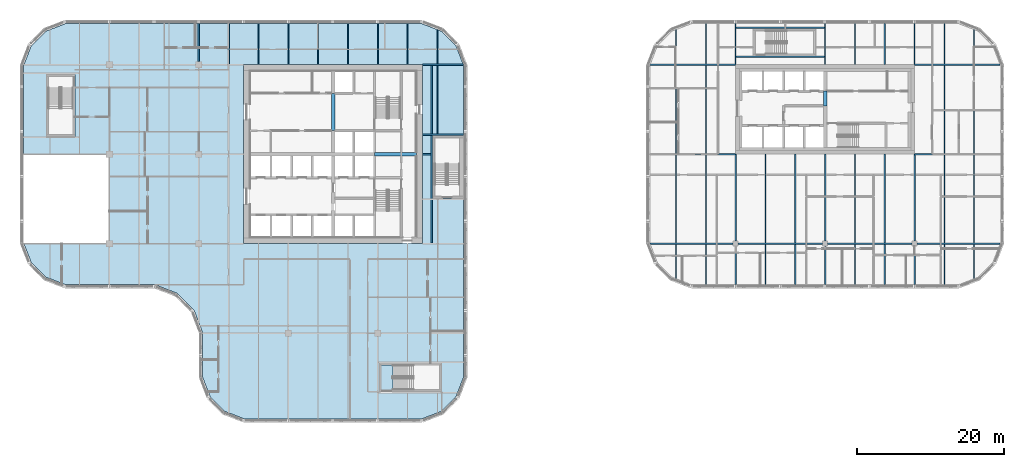
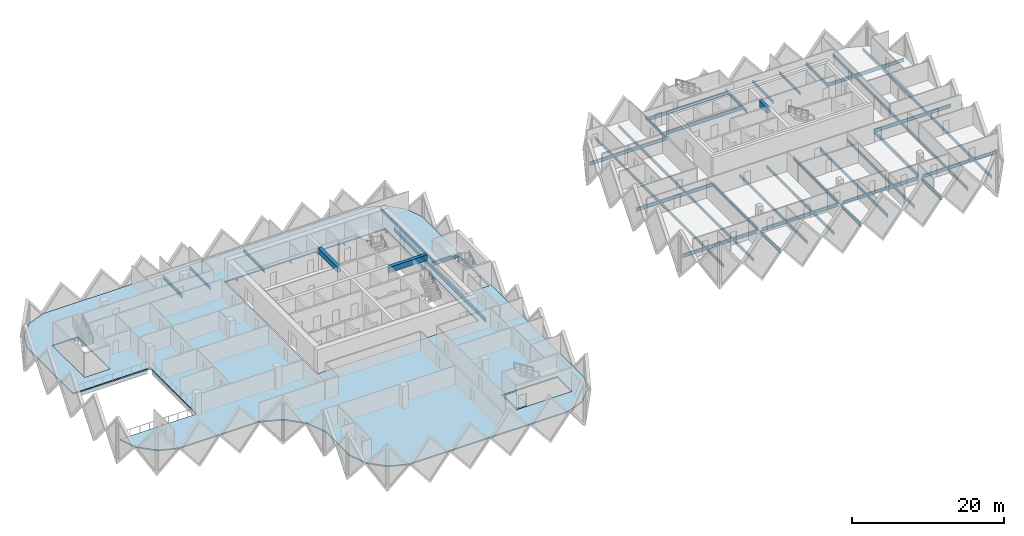
# One storey, part 2 of 19: 62 beams, 2 slabs.
"""IFC4 building model written with IfcOpenShell, lengths in metres."""

from ifc_helpers import new_model, si_unit, direction, frame, origin, origin_2d, place, context, subcontext, project, spatial, polyline, rectangle, i_section, outline, extrude, material, layer, layer_set, material_profile, profile_set, type_object, element, save


model = new_model("IFC4")

# Units and contexts
model_context = context("Model", 3, precision=1e-05, world=origin(), true_north=direction((0.0, 1.0)))
body_context = subcontext(model_context, "Body", "Model", "MODEL_VIEW")
ifc_project = project(units=[si_unit("LENGTHUNIT", "METRE"), si_unit("AREAUNIT", "SQUARE_METRE"), si_unit("VOLUMEUNIT", "CUBIC_METRE"), si_unit("PLANEANGLEUNIT", "RADIAN"), si_unit("MASSUNIT", "GRAM", prefix="KILO")], contexts=[model_context])

# Site, building, storey
site_placement = place(None, origin())
site = spatial("IfcSite", under=ifc_project, at=site_placement, CompositionType="ELEMENT")
building_placement = place(site_placement, origin())
building = spatial("IfcBuilding", under=site, at=building_placement, Name="Tessera Gate Towers", CompositionType="ELEMENT")
storey_placement = place(building_placement, frame((0.0, 0.0, 72.39990234375)))
storey = spatial("IfcBuildingStorey", under=building, at=storey_placement, Name="L17", CompositionType="ELEMENT", Elevation=72.39990234375)

# Beams
ifc_material_1 = material(Name="Concrete C50/60", Category="concrete")
ifc_material_profile_1 = material_profile(ifc_material_1, rectangle(XDim=0.5, YDim=0.89990234375, at=origin_2d()), Name="RC 500x900")
ifc_profile_set_1 = profile_set([ifc_material_profile_1], Name="Concrete C50/60")
beam_type_1 = type_object("IfcBeamType", Name="COUPLING BEAM 500x900 C50/60", PredefinedType="BEAM", material=ifc_profile_set_1)
beam_1_placement = place(storey_placement, frame((109.800048828125, 43.199951171875, 3.150146484375), z_axis=(0.0, 1.0, 0.0), x_axis=(-1.0, 0.0, 0.0)))
element("IfcBeam", 1, at=beam_1_placement, inside=storey, type_object=beam_type_1, Name="L17 coupling beam 1", PredefinedType="BEAM", context=body_context, shape_type="SweptSolid", body=[
    extrude(rectangle(XDim=0.5, YDim=0.89990234375, at=origin_2d()), origin(), (0.0, 0.0, 1.0), 2.0),
])
ifc_material_2 = material(Name="Concrete C60/75", Category="concrete")
ifc_material_profile_2 = material_profile(ifc_material_2, rectangle(XDim=0.5, YDim=0.89990234375, at=origin_2d()), Name="RC 500x900")
ifc_profile_set_2 = profile_set([ifc_material_profile_2], Name="Concrete C60/75")
beam_type_2 = type_object("IfcBeamType", Name="COUPLING BEAM 500x900 C60/75", PredefinedType="BEAM", material=ifc_profile_set_2)
beam_2_placement = place(storey_placement, frame((48.35009765625, 36.60009765625, 3.150146484375), z_axis=(1.0, 0.0, 0.0), x_axis=(0.0, 1.0, 0.0)))
element("IfcBeam", 2, at=beam_2_placement, inside=storey, type_object=beam_type_2, Name="L17 coupling beam 1", PredefinedType="BEAM", context=body_context, shape_type="SweptSolid", body=[
    extrude(rectangle(XDim=0.5, YDim=0.89990234375, at=origin_2d()), origin(), (0.0, 0.0, 1.0), 5.75),
])
beam_3_placement = place(storey_placement, frame((42.699951171875, 39.800048828125, 3.150146484375), z_axis=(0.0, 1.0, 0.0), x_axis=(-1.0, 0.0, 0.0)))
element("IfcBeam", 3, at=beam_3_placement, inside=storey, type_object=beam_type_2, Name="L17 coupling beam 2", PredefinedType="BEAM", context=body_context, shape_type="SweptSolid", body=[
    extrude(rectangle(XDim=0.5, YDim=0.89990234375, at=origin_2d()), origin(), (0.0, 0.0, 1.0), 5.099853515625),
])
ifc_material_3 = material(Name="Steel 350W", Category="steel")
ifc_material_profile_3 = material_profile(ifc_material_3, i_section(OverallWidth=0.208984375, OverallDepth=0.532958984375, WebThickness=0.01025390625, FlangeThickness=0.015625, at=origin_2d()), Name="W530x92")
ifc_profile_set_3 = profile_set([ifc_material_profile_3], Name="Steel 350W")
beam_type_3 = type_object("IfcBeamType", Name="FLOOR GIRDER W530x92", PredefinedType="BEAM", material=ifc_profile_set_3)
beam_4_placement = place(storey_placement, frame((54.89892578125, 36.60009765625, -0.46630859375), z_axis=(1.0, 0.0, 0.0), x_axis=(0.0, 1.0, 0.0)))
element("IfcBeam", 4, at=beam_4_placement, inside=storey, type_object=beam_type_3, Name="T1-GD-L17-2354", PredefinedType="BEAM", context=body_context, shape_type="SweptSolid", body=[
    extrude(i_section(OverallWidth=0.208984375, OverallDepth=0.532958984375, WebThickness=0.01025390625, FlangeThickness=0.015625, at=origin_2d()), origin(), (0.0, 0.0, 1.0), 1.176513671875),
])
beam_5_placement = place(storey_placement, frame((54.90087890625, 48.800048828125, -0.46630859375), z_axis=(1.0, 0.0, 0.0), x_axis=(0.0, 1.0, 0.0)))
element("IfcBeam", 5, at=beam_5_placement, inside=storey, type_object=beam_type_3, Name="T1-GD-L17-2358", PredefinedType="BEAM", context=body_context, shape_type="SweptSolid", body=[
    extrude(i_section(OverallWidth=0.208984375, OverallDepth=0.532958984375, WebThickness=0.01025390625, FlangeThickness=0.015625, at=origin_2d()), origin(), (0.0, 0.0, 1.0), 5.564208984375),
])
beam_6_placement = place(storey_placement, frame((24.39990234375, 49.25, -0.46630859375), z_axis=(0.0, 1.0, 0.0), x_axis=(-1.0, 0.0, 0.0)))
element("IfcBeam", 6, at=beam_6_placement, inside=storey, type_object=beam_type_3, Name="T1-GD-L17-2366", PredefinedType="BEAM", context=body_context, shape_type="SweptSolid", body=[
    extrude(i_section(OverallWidth=0.208984375, OverallDepth=0.532958984375, WebThickness=0.01025390625, FlangeThickness=0.015625, at=origin_2d()), origin(), (0.0, 0.0, 1.0), 5.15087890625),
])
beam_7_placement = place(storey_placement, frame((54.89892578125, 39.219970703125, -0.46630859375), z_axis=(1.0, 0.0, 0.0), x_axis=(0.0, 1.0, 0.0)))
element("IfcBeam", 7, at=beam_7_placement, inside=storey, type_object=beam_type_3, Name="T1-GD-L17-2376", PredefinedType="BEAM", context=body_context, shape_type="SweptSolid", body=[
    extrude(i_section(OverallWidth=0.208984375, OverallDepth=0.532958984375, WebThickness=0.01025390625, FlangeThickness=0.015625, at=origin_2d()), origin(), (0.0, 0.0, 1.0), 5.60205078125),
])
beam_8_placement = place(storey_placement, frame((56.179931640625, 24.50439453125, -0.46630859375), z_axis=(0.0, 1.0, 0.0), x_axis=(-1.0, 0.0, 0.0)))
element("IfcBeam", 8, at=beam_8_placement, inside=storey, type_object=beam_type_3, Name="T1-GD-L17-2377", PredefinedType="BEAM", context=body_context, shape_type="SweptSolid", body=[
    extrude(i_section(OverallWidth=0.208984375, OverallDepth=0.532958984375, WebThickness=0.01025390625, FlangeThickness=0.015625, at=origin_2d()), origin(), (0.0, 0.0, 1.0), 24.191162109375),
])
beam_9_placement = place(storey_placement, frame((85.934814453125, 24.39990234375, -0.46630859375), z_axis=(1.0, 0.0, 0.0), x_axis=(0.0, 1.0, 0.0)))
element("IfcBeam", 9, at=beam_9_placement, inside=storey, type_object=beam_type_3, Name="T2-GD-L17-2418", PredefinedType="BEAM", context=body_context, shape_type="SweptSolid", body=[
    extrude(i_section(OverallWidth=0.208984375, OverallDepth=0.532958984375, WebThickness=0.01025390625, FlangeThickness=0.015625, at=origin_2d()), origin(), (0.0, 0.0, 1.0), 11.315185546875),
])
for number, where, z_axis, x_axis, name in (
    (10, (97.949951171875, 24.39990234375, -0.46630859375), (1.0, 0.0, 0.0), (0.0, 1.0, 0.0), "T2-GD-L17-2419"),
    (11, (110.14990234375, 24.39990234375, -0.46630859375), (1.0, 0.0, 0.0), (0.0, 1.0, 0.0), "T2-GD-L17-2420"),
):
    element("IfcBeam", number, at=place(storey_placement, frame(where, z_axis=z_axis, x_axis=x_axis)), inside=storey, type_object=beam_type_3, Name=name, PredefinedType="BEAM", context=body_context, shape_type="SweptSolid", body=[
        extrude(i_section(OverallWidth=0.208984375, OverallDepth=0.532958984375, WebThickness=0.01025390625, FlangeThickness=0.015625, at=origin_2d()), origin(), (0.0, 0.0, 1.0), 11.5),
    ])
beam_10_placement = place(storey_placement, frame((122.35009765625, 24.39990234375, -0.46630859375), z_axis=(1.0, 0.0, 0.0), x_axis=(0.0, 1.0, 0.0)))
element("IfcBeam", 12, at=beam_10_placement, inside=storey, type_object=beam_type_3, Name="T2-GD-L17-2421", PredefinedType="BEAM", context=body_context, shape_type="SweptSolid", body=[
    extrude(i_section(OverallWidth=0.208984375, OverallDepth=0.532958984375, WebThickness=0.01025390625, FlangeThickness=0.015625, at=origin_2d()), origin(), (0.0, 0.0, 1.0), 11.315185546875),
])
beam_11_placement = place(storey_placement, frame((85.89892578125, 36.60009765625, -0.46630859375), z_axis=(1.0, 0.0, 0.0), x_axis=(0.0, 1.0, 0.0)))
element("IfcBeam", 13, at=beam_11_placement, inside=storey, type_object=beam_type_3, Name="T2-GD-L17-2422", PredefinedType="BEAM", context=body_context, shape_type="SweptSolid", body=[
    extrude(i_section(OverallWidth=0.208984375, OverallDepth=0.532958984375, WebThickness=0.01025390625, FlangeThickness=0.015625, at=origin_2d()), origin(), (0.0, 0.0, 1.0), 11.7001953125),
])
beam_12_placement = place(storey_placement, frame((122.0009765625, 36.60009765625, -0.46630859375), z_axis=(1.0, 0.0, 0.0), x_axis=(0.0, 1.0, 0.0)))
element("IfcBeam", 14, at=beam_12_placement, inside=storey, type_object=beam_type_3, Name="T2-GD-L17-2423", PredefinedType="BEAM", context=body_context, shape_type="SweptSolid", body=[
    extrude(i_section(OverallWidth=0.208984375, OverallDepth=0.532958984375, WebThickness=0.01025390625, FlangeThickness=0.015625, at=origin_2d()), origin(), (0.0, 0.0, 1.0), 11.699951171875),
])
for number, where, z_axis, x_axis, name in (
    (15, (85.934814453125, 48.800048828125, -0.46630859375), (1.0, 0.0, 0.0), (0.0, 1.0, 0.0), "T2-GD-L17-2424"),
    (16, (122.0009765625, 48.800048828125, -0.46630859375), (1.0, 0.0, 0.0), (0.0, 1.0, 0.0), "T2-GD-L17-2425"),
):
    element("IfcBeam", number, at=place(storey_placement, frame(where, z_axis=z_axis, x_axis=x_axis)), inside=storey, type_object=beam_type_3, Name=name, PredefinedType="BEAM", context=body_context, shape_type="SweptSolid", body=[
        extrude(i_section(OverallWidth=0.208984375, OverallDepth=0.532958984375, WebThickness=0.01025390625, FlangeThickness=0.015625, at=origin_2d()), origin(), (0.0, 0.0, 1.0), 11.664306640625),
    ])
beam_13_placement = place(storey_placement, frame((97.60009765625, 18.799072265625, -0.46630859375), z_axis=(0.0, 1.0, 0.0), x_axis=(-1.0, 0.0, 0.0)))
element("IfcBeam", 17, at=beam_13_placement, inside=storey, type_object=beam_type_3, Name="T2-GD-L17-2426", PredefinedType="BEAM", context=body_context, shape_type="SweptSolid", body=[
    extrude(i_section(OverallWidth=0.208984375, OverallDepth=0.532958984375, WebThickness=0.01025390625, FlangeThickness=0.015625, at=origin_2d()), origin(), (0.0, 0.0, 1.0), 5.2509765625),
])
beam_14_placement = place(storey_placement, frame((97.60009765625, 24.75, -0.46630859375), z_axis=(0.0, 1.0, 0.0), x_axis=(-1.0, 0.0, 0.0)))
element("IfcBeam", 18, at=beam_14_placement, inside=storey, type_object=beam_type_3, Name="T2-GD-L17-2427", PredefinedType="BEAM", context=body_context, shape_type="SweptSolid", body=[
    extrude(i_section(OverallWidth=0.208984375, OverallDepth=0.532958984375, WebThickness=0.01025390625, FlangeThickness=0.015625, at=origin_2d()), origin(), (0.0, 0.0, 1.0), 11.85009765625),
])
beam_15_placement = place(storey_placement, frame((109.800048828125, 18.799072265625, -0.46630859375), z_axis=(0.0, 1.0, 0.0), x_axis=(-1.0, 0.0, 0.0)))
element("IfcBeam", 19, at=beam_15_placement, inside=storey, type_object=beam_type_3, Name="T2-GD-L17-2428", PredefinedType="BEAM", context=body_context, shape_type="SweptSolid", body=[
    extrude(i_section(OverallWidth=0.208984375, OverallDepth=0.532958984375, WebThickness=0.01025390625, FlangeThickness=0.015625, at=origin_2d()), origin(), (0.0, 0.0, 1.0), 5.2509765625),
])
beam_16_placement = place(storey_placement, frame((109.800048828125, 24.75, -0.46630859375), z_axis=(0.0, 1.0, 0.0), x_axis=(-1.0, 0.0, 0.0)))
element("IfcBeam", 20, at=beam_16_placement, inside=storey, type_object=beam_type_3, Name="T2-GD-L17-2429", PredefinedType="BEAM", context=body_context, shape_type="SweptSolid", body=[
    extrude(i_section(OverallWidth=0.208984375, OverallDepth=0.532958984375, WebThickness=0.01025390625, FlangeThickness=0.015625, at=origin_2d()), origin(), (0.0, 0.0, 1.0), 11.85009765625),
])
beam_17_placement = place(storey_placement, frame((122.0, 18.799072265625, -0.46630859375), z_axis=(0.0, 1.0, 0.0), x_axis=(-1.0, 0.0, 0.0)))
element("IfcBeam", 21, at=beam_17_placement, inside=storey, type_object=beam_type_3, Name="T2-GD-L17-2430", PredefinedType="BEAM", context=body_context, shape_type="SweptSolid", body=[
    extrude(i_section(OverallWidth=0.208984375, OverallDepth=0.532958984375, WebThickness=0.01025390625, FlangeThickness=0.015625, at=origin_2d()), origin(), (0.0, 0.0, 1.0), 5.2509765625),
])
beam_18_placement = place(storey_placement, frame((122.0, 24.75, -0.46630859375), z_axis=(0.0, 1.0, 0.0), x_axis=(-1.0, 0.0, 0.0)))
element("IfcBeam", 22, at=beam_18_placement, inside=storey, type_object=beam_type_3, Name="T2-GD-L17-2431", PredefinedType="BEAM", context=body_context, shape_type="SweptSolid", body=[
    extrude(i_section(OverallWidth=0.208984375, OverallDepth=0.532958984375, WebThickness=0.01025390625, FlangeThickness=0.015625, at=origin_2d()), origin(), (0.0, 0.0, 1.0), 11.85009765625),
])
for number, where, z_axis, x_axis, name in (
    (23, (97.676513671875, 49.8798828125, -0.46630859375), (1.0, 0.0, 0.0), (0.0, 1.0, 0.0), "T2-GD-L17-2432"),
    (24, (97.676513671875, 53.820068359375, -0.46630859375), (1.0, 0.0, 0.0), (0.0, 1.0, 0.0), "T2-GD-L17-2433"),
):
    element("IfcBeam", number, at=place(storey_placement, frame(where, z_axis=z_axis, x_axis=x_axis)), inside=storey, type_object=beam_type_3, Name=name, PredefinedType="BEAM", context=body_context, shape_type="SweptSolid", body=[
        extrude(i_section(OverallWidth=0.208984375, OverallDepth=0.532958984375, WebThickness=0.01025390625, FlangeThickness=0.015625, at=origin_2d()), origin(), (0.0, 0.0, 1.0), 12.046875),
    ])
ifc_material_4 = material(Name="Steel 350W", Category="steel")
ifc_material_profile_4 = material_profile(ifc_material_4, i_section(OverallWidth=0.153076171875, OverallDepth=0.455078125, WebThickness=0.008056640625, FlangeThickness=0.01318359375, at=origin_2d()), Name="W460x60")
ifc_profile_set_4 = profile_set([ifc_material_profile_4], Name="Steel 350W")
beam_type_4 = type_object("IfcBeamType", Name="FLOOR SECONDARY W460x60", PredefinedType="BEAM", material=ifc_profile_set_4)
beam_19_placement = place(storey_placement, frame((28.466796875, 48.904541015625, -0.427490234375), z_axis=(0.0, 1.0, 0.0), x_axis=(-1.0, 0.0, 0.0)))
element("IfcBeam", 25, at=beam_19_placement, inside=storey, type_object=beam_type_4, Name="T1-BM-L17-2396", PredefinedType="BEAM", context=body_context, shape_type="SweptSolid", body=[
    extrude(i_section(OverallWidth=0.153076171875, OverallDepth=0.455078125, WebThickness=0.008056640625, FlangeThickness=0.01318359375, at=origin_2d()), origin(), (0.0, 0.0, 1.0), 5.495361328125),
])
for number, where, z_axis, x_axis, name in (
    (26, (32.533203125, 48.800048828125, -0.427490234375), (0.0, 1.0, 0.0), (-1.0, 0.0, 0.0), "T1-BM-L17-2399"),
    (27, (36.60009765625, 48.800048828125, -0.427490234375), (0.0, 1.0, 0.0), (-1.0, 0.0, 0.0), "T1-BM-L17-2400"),
    (28, (40.666748046875, 48.800048828125, -0.427490234375), (0.0, 1.0, 0.0), (-1.0, 0.0, 0.0), "T1-BM-L17-2403"),
    (29, (44.7333984375, 48.800048828125, -0.427490234375), (0.0, 1.0, 0.0), (-1.0, 0.0, 0.0), "T1-BM-L17-2406"),
    (30, (48.800048828125, 48.800048828125, -0.427490234375), (0.0, 1.0, 0.0), (-1.0, 0.0, 0.0), "T1-BM-L17-2407"),
    (31, (52.86669921875, 48.800048828125, -0.427490234375), (0.0, 1.0, 0.0), (-1.0, 0.0, 0.0), "T1-BM-L17-2411"),
):
    element("IfcBeam", number, at=place(storey_placement, frame(where, z_axis=z_axis, x_axis=x_axis)), inside=storey, type_object=beam_type_4, Name=name, PredefinedType="BEAM", context=body_context, shape_type="SweptSolid", body=[
        extrude(i_section(OverallWidth=0.153076171875, OverallDepth=0.455078125, WebThickness=0.008056640625, FlangeThickness=0.01318359375, at=origin_2d()), origin(), (0.0, 0.0, 1.0), 5.599853515625),
    ])
beam_20_placement = place(storey_placement, frame((56.933349609375, 39.324462890625, -0.427490234375), z_axis=(0.0, 1.0, 0.0), x_axis=(-1.0, 0.0, 0.0)))
element("IfcBeam", 32, at=beam_20_placement, inside=storey, type_object=beam_type_4, Name="T1-BM-L17-2416", PredefinedType="BEAM", context=body_context, shape_type="SweptSolid", body=[
    extrude(i_section(OverallWidth=0.153076171875, OverallDepth=0.455078125, WebThickness=0.008056640625, FlangeThickness=0.01318359375, at=origin_2d()), origin(), (0.0, 0.0, 1.0), 9.37109375),
])
for number, where, z_axis, x_axis, name in (
    (33, (56.933349609375, 48.904541015625, -0.427490234375), (0.0, 1.0, 0.0), (-1.0, 0.0, 0.0), "T1-BM-L17-2417"),
    (34, (89.466796875, 19.620361328125, -0.427490234375), (0.0, 1.0, 0.0), (-1.0, 0.0, 0.0), "T2-BM-L17-2434"),
):
    element("IfcBeam", number, at=place(storey_placement, frame(where, z_axis=z_axis, x_axis=x_axis)), inside=storey, type_object=beam_type_4, Name=name, PredefinedType="BEAM", context=body_context, shape_type="SweptSolid", body=[
        extrude(i_section(OverallWidth=0.153076171875, OverallDepth=0.455078125, WebThickness=0.008056640625, FlangeThickness=0.01318359375, at=origin_2d()), origin(), (0.0, 0.0, 1.0), 4.675048828125),
    ])
beam_21_placement = place(storey_placement, frame((89.466796875, 24.50439453125, -0.427490234375), z_axis=(0.0, 1.0, 0.0), x_axis=(-1.0, 0.0, 0.0)))
element("IfcBeam", 35, at=beam_21_placement, inside=storey, type_object=beam_type_4, Name="T2-BM-L17-2435", PredefinedType="BEAM", context=body_context, shape_type="SweptSolid", body=[
    extrude(i_section(OverallWidth=0.153076171875, OverallDepth=0.455078125, WebThickness=0.008056640625, FlangeThickness=0.01318359375, at=origin_2d()), origin(), (0.0, 0.0, 1.0), 11.9912109375),
])
beam_22_placement = place(storey_placement, frame((89.466796875, 36.70458984375, -0.427490234375), z_axis=(0.0, 1.0, 0.0), x_axis=(-1.0, 0.0, 0.0)))
element("IfcBeam", 36, at=beam_22_placement, inside=storey, type_object=beam_type_4, Name="T2-BM-L17-2436", PredefinedType="BEAM", context=body_context, shape_type="SweptSolid", body=[
    extrude(i_section(OverallWidth=0.153076171875, OverallDepth=0.455078125, WebThickness=0.008056640625, FlangeThickness=0.01318359375, at=origin_2d()), origin(), (0.0, 0.0, 1.0), 11.990966796875),
])
beam_23_placement = place(storey_placement, frame((89.466796875, 48.904541015625, -0.427490234375), z_axis=(0.0, 1.0, 0.0), x_axis=(-1.0, 0.0, 0.0)))
element("IfcBeam", 37, at=beam_23_placement, inside=storey, type_object=beam_type_4, Name="T2-BM-L17-2437", PredefinedType="BEAM", context=body_context, shape_type="SweptSolid", body=[
    extrude(i_section(OverallWidth=0.153076171875, OverallDepth=0.455078125, WebThickness=0.008056640625, FlangeThickness=0.01318359375, at=origin_2d()), origin(), (0.0, 0.0, 1.0), 4.675048828125),
])
beam_24_placement = place(storey_placement, frame((93.533203125, 18.800048828125, -0.427490234375), z_axis=(0.0, 1.0, 0.0), x_axis=(-1.0, 0.0, 0.0)))
element("IfcBeam", 38, at=beam_24_placement, inside=storey, type_object=beam_type_4, Name="T2-BM-L17-2438", PredefinedType="BEAM", context=body_context, shape_type="SweptSolid", body=[
    extrude(i_section(OverallWidth=0.153076171875, OverallDepth=0.455078125, WebThickness=0.008056640625, FlangeThickness=0.01318359375, at=origin_2d()), origin(), (0.0, 0.0, 1.0), 5.495361328125),
])
beam_25_placement = place(storey_placement, frame((93.533203125, 24.50439453125, -0.427490234375), z_axis=(0.0, 1.0, 0.0), x_axis=(-1.0, 0.0, 0.0)))
element("IfcBeam", 39, at=beam_25_placement, inside=storey, type_object=beam_type_4, Name="T2-BM-L17-2439", PredefinedType="BEAM", context=body_context, shape_type="SweptSolid", body=[
    extrude(i_section(OverallWidth=0.153076171875, OverallDepth=0.455078125, WebThickness=0.008056640625, FlangeThickness=0.01318359375, at=origin_2d()), origin(), (0.0, 0.0, 1.0), 11.9912109375),
])
beam_26_placement = place(storey_placement, frame((93.533203125, 36.70458984375, -0.427490234375), z_axis=(0.0, 1.0, 0.0), x_axis=(-1.0, 0.0, 0.0)))
element("IfcBeam", 40, at=beam_26_placement, inside=storey, type_object=beam_type_4, Name="T2-BM-L17-2440", PredefinedType="BEAM", context=body_context, shape_type="SweptSolid", body=[
    extrude(i_section(OverallWidth=0.153076171875, OverallDepth=0.455078125, WebThickness=0.008056640625, FlangeThickness=0.01318359375, at=origin_2d()), origin(), (0.0, 0.0, 1.0), 11.990966796875),
])
beam_27_placement = place(storey_placement, frame((93.533203125, 48.904541015625, -0.427490234375), z_axis=(0.0, 1.0, 0.0), x_axis=(-1.0, 0.0, 0.0)))
element("IfcBeam", 41, at=beam_27_placement, inside=storey, type_object=beam_type_4, Name="T2-BM-L17-2441", PredefinedType="BEAM", context=body_context, shape_type="SweptSolid", body=[
    extrude(i_section(OverallWidth=0.153076171875, OverallDepth=0.455078125, WebThickness=0.008056640625, FlangeThickness=0.01318359375, at=origin_2d()), origin(), (0.0, 0.0, 1.0), 5.495361328125),
])
beam_28_placement = place(storey_placement, frame((97.60009765625, 48.800048828125, -0.427490234375), z_axis=(0.0, 1.0, 0.0), x_axis=(-1.0, 0.0, 0.0)))
element("IfcBeam", 42, at=beam_28_placement, inside=storey, type_object=beam_type_4, Name="T2-BM-L17-2442", PredefinedType="BEAM", context=body_context, shape_type="SweptSolid", body=[
    extrude(i_section(OverallWidth=0.153076171875, OverallDepth=0.455078125, WebThickness=0.008056640625, FlangeThickness=0.01318359375, at=origin_2d()), origin(), (0.0, 0.0, 1.0), 5.599853515625),
])
beam_29_placement = place(storey_placement, frame((101.666748046875, 18.800048828125, -0.427490234375), z_axis=(0.0, 1.0, 0.0), x_axis=(-1.0, 0.0, 0.0)))
element("IfcBeam", 43, at=beam_29_placement, inside=storey, type_object=beam_type_4, Name="T2-BM-L17-2443", PredefinedType="BEAM", context=body_context, shape_type="SweptSolid", body=[
    extrude(i_section(OverallWidth=0.153076171875, OverallDepth=0.455078125, WebThickness=0.008056640625, FlangeThickness=0.01318359375, at=origin_2d()), origin(), (0.0, 0.0, 1.0), 5.495361328125),
])
beam_30_placement = place(storey_placement, frame((101.666748046875, 24.50439453125, -0.427490234375), z_axis=(0.0, 1.0, 0.0), x_axis=(-1.0, 0.0, 0.0)))
element("IfcBeam", 44, at=beam_30_placement, inside=storey, type_object=beam_type_4, Name="T2-BM-L17-2444", PredefinedType="BEAM", context=body_context, shape_type="SweptSolid", body=[
    extrude(i_section(OverallWidth=0.153076171875, OverallDepth=0.455078125, WebThickness=0.008056640625, FlangeThickness=0.01318359375, at=origin_2d()), origin(), (0.0, 0.0, 1.0), 12.095703125),
])
beam_31_placement = place(storey_placement, frame((105.7333984375, 18.800048828125, -0.427490234375), z_axis=(0.0, 1.0, 0.0), x_axis=(-1.0, 0.0, 0.0)))
element("IfcBeam", 45, at=beam_31_placement, inside=storey, type_object=beam_type_4, Name="T2-BM-L17-2445", PredefinedType="BEAM", context=body_context, shape_type="SweptSolid", body=[
    extrude(i_section(OverallWidth=0.153076171875, OverallDepth=0.455078125, WebThickness=0.008056640625, FlangeThickness=0.01318359375, at=origin_2d()), origin(), (0.0, 0.0, 1.0), 5.495361328125),
])
beam_32_placement = place(storey_placement, frame((105.7333984375, 24.50439453125, -0.427490234375), z_axis=(0.0, 1.0, 0.0), x_axis=(-1.0, 0.0, 0.0)))
element("IfcBeam", 46, at=beam_32_placement, inside=storey, type_object=beam_type_4, Name="T2-BM-L17-2446", PredefinedType="BEAM", context=body_context, shape_type="SweptSolid", body=[
    extrude(i_section(OverallWidth=0.153076171875, OverallDepth=0.455078125, WebThickness=0.008056640625, FlangeThickness=0.01318359375, at=origin_2d()), origin(), (0.0, 0.0, 1.0), 12.095703125),
])
beam_33_placement = place(storey_placement, frame((109.800048828125, 48.800048828125, -0.427490234375), z_axis=(0.0, 1.0, 0.0), x_axis=(-1.0, 0.0, 0.0)))
element("IfcBeam", 47, at=beam_33_placement, inside=storey, type_object=beam_type_4, Name="T2-BM-L17-2447", PredefinedType="BEAM", context=body_context, shape_type="SweptSolid", body=[
    extrude(i_section(OverallWidth=0.153076171875, OverallDepth=0.455078125, WebThickness=0.008056640625, FlangeThickness=0.01318359375, at=origin_2d()), origin(), (0.0, 0.0, 1.0), 5.599853515625),
])
beam_34_placement = place(storey_placement, frame((113.86669921875, 18.800048828125, -0.427490234375), z_axis=(0.0, 1.0, 0.0), x_axis=(-1.0, 0.0, 0.0)))
element("IfcBeam", 48, at=beam_34_placement, inside=storey, type_object=beam_type_4, Name="T2-BM-L17-2448", PredefinedType="BEAM", context=body_context, shape_type="SweptSolid", body=[
    extrude(i_section(OverallWidth=0.153076171875, OverallDepth=0.455078125, WebThickness=0.008056640625, FlangeThickness=0.01318359375, at=origin_2d()), origin(), (0.0, 0.0, 1.0), 5.495361328125),
])
beam_35_placement = place(storey_placement, frame((113.86669921875, 24.50439453125, -0.427490234375), z_axis=(0.0, 1.0, 0.0), x_axis=(-1.0, 0.0, 0.0)))
element("IfcBeam", 49, at=beam_35_placement, inside=storey, type_object=beam_type_4, Name="T2-BM-L17-2449", PredefinedType="BEAM", context=body_context, shape_type="SweptSolid", body=[
    extrude(i_section(OverallWidth=0.153076171875, OverallDepth=0.455078125, WebThickness=0.008056640625, FlangeThickness=0.01318359375, at=origin_2d()), origin(), (0.0, 0.0, 1.0), 12.095703125),
])
beam_36_placement = place(storey_placement, frame((113.86669921875, 48.800048828125, -0.427490234375), z_axis=(0.0, 1.0, 0.0), x_axis=(-1.0, 0.0, 0.0)))
element("IfcBeam", 50, at=beam_36_placement, inside=storey, type_object=beam_type_4, Name="T2-BM-L17-2450", PredefinedType="BEAM", context=body_context, shape_type="SweptSolid", body=[
    extrude(i_section(OverallWidth=0.153076171875, OverallDepth=0.455078125, WebThickness=0.008056640625, FlangeThickness=0.01318359375, at=origin_2d()), origin(), (0.0, 0.0, 1.0), 5.599853515625),
])
beam_37_placement = place(storey_placement, frame((117.933349609375, 18.800048828125, -0.427490234375), z_axis=(0.0, 1.0, 0.0), x_axis=(-1.0, 0.0, 0.0)))
element("IfcBeam", 51, at=beam_37_placement, inside=storey, type_object=beam_type_4, Name="T2-BM-L17-2451", PredefinedType="BEAM", context=body_context, shape_type="SweptSolid", body=[
    extrude(i_section(OverallWidth=0.153076171875, OverallDepth=0.455078125, WebThickness=0.008056640625, FlangeThickness=0.01318359375, at=origin_2d()), origin(), (0.0, 0.0, 1.0), 5.495361328125),
])
beam_38_placement = place(storey_placement, frame((117.933349609375, 24.50439453125, -0.427490234375), z_axis=(0.0, 1.0, 0.0), x_axis=(-1.0, 0.0, 0.0)))
element("IfcBeam", 52, at=beam_38_placement, inside=storey, type_object=beam_type_4, Name="T2-BM-L17-2452", PredefinedType="BEAM", context=body_context, shape_type="SweptSolid", body=[
    extrude(i_section(OverallWidth=0.153076171875, OverallDepth=0.455078125, WebThickness=0.008056640625, FlangeThickness=0.01318359375, at=origin_2d()), origin(), (0.0, 0.0, 1.0), 12.095703125),
])
for number, where, z_axis, x_axis, name in (
    (53, (117.933349609375, 48.800048828125, -0.427490234375), (0.0, 1.0, 0.0), (-1.0, 0.0, 0.0), "T2-BM-L17-2453"),
    (54, (122.0, 48.800048828125, -0.427490234375), (0.0, 1.0, 0.0), (-1.0, 0.0, 0.0), "T2-BM-L17-2454"),
):
    element("IfcBeam", number, at=place(storey_placement, frame(where, z_axis=z_axis, x_axis=x_axis)), inside=storey, type_object=beam_type_4, Name=name, PredefinedType="BEAM", context=body_context, shape_type="SweptSolid", body=[
        extrude(i_section(OverallWidth=0.153076171875, OverallDepth=0.455078125, WebThickness=0.008056640625, FlangeThickness=0.01318359375, at=origin_2d()), origin(), (0.0, 0.0, 1.0), 5.599853515625),
    ])
beam_39_placement = place(storey_placement, frame((126.066650390625, 18.800048828125, -0.427490234375), z_axis=(0.0, 1.0, 0.0), x_axis=(-1.0, 0.0, 0.0)))
element("IfcBeam", 55, at=beam_39_placement, inside=storey, type_object=beam_type_4, Name="T2-BM-L17-2455", PredefinedType="BEAM", context=body_context, shape_type="SweptSolid", body=[
    extrude(i_section(OverallWidth=0.153076171875, OverallDepth=0.455078125, WebThickness=0.008056640625, FlangeThickness=0.01318359375, at=origin_2d()), origin(), (0.0, 0.0, 1.0), 5.495361328125),
])
beam_40_placement = place(storey_placement, frame((126.066650390625, 24.50439453125, -0.427490234375), z_axis=(0.0, 1.0, 0.0), x_axis=(-1.0, 0.0, 0.0)))
element("IfcBeam", 56, at=beam_40_placement, inside=storey, type_object=beam_type_4, Name="T2-BM-L17-2456", PredefinedType="BEAM", context=body_context, shape_type="SweptSolid", body=[
    extrude(i_section(OverallWidth=0.153076171875, OverallDepth=0.455078125, WebThickness=0.008056640625, FlangeThickness=0.01318359375, at=origin_2d()), origin(), (0.0, 0.0, 1.0), 11.9912109375),
])
beam_41_placement = place(storey_placement, frame((126.066650390625, 36.70458984375, -0.427490234375), z_axis=(0.0, 1.0, 0.0), x_axis=(-1.0, 0.0, 0.0)))
element("IfcBeam", 57, at=beam_41_placement, inside=storey, type_object=beam_type_4, Name="T2-BM-L17-2457", PredefinedType="BEAM", context=body_context, shape_type="SweptSolid", body=[
    extrude(i_section(OverallWidth=0.153076171875, OverallDepth=0.455078125, WebThickness=0.008056640625, FlangeThickness=0.01318359375, at=origin_2d()), origin(), (0.0, 0.0, 1.0), 11.990966796875),
])
beam_42_placement = place(storey_placement, frame((126.066650390625, 48.904541015625, -0.427490234375), z_axis=(0.0, 1.0, 0.0), x_axis=(-1.0, 0.0, 0.0)))
element("IfcBeam", 58, at=beam_42_placement, inside=storey, type_object=beam_type_4, Name="T2-BM-L17-2458", PredefinedType="BEAM", context=body_context, shape_type="SweptSolid", body=[
    extrude(i_section(OverallWidth=0.153076171875, OverallDepth=0.455078125, WebThickness=0.008056640625, FlangeThickness=0.01318359375, at=origin_2d()), origin(), (0.0, 0.0, 1.0), 5.495361328125),
])
beam_43_placement = place(storey_placement, frame((130.13330078125, 19.620361328125, -0.427490234375), z_axis=(0.0, 1.0, 0.0), x_axis=(-1.0, 0.0, 0.0)))
element("IfcBeam", 59, at=beam_43_placement, inside=storey, type_object=beam_type_4, Name="T2-BM-L17-2459", PredefinedType="BEAM", context=body_context, shape_type="SweptSolid", body=[
    extrude(i_section(OverallWidth=0.153076171875, OverallDepth=0.455078125, WebThickness=0.008056640625, FlangeThickness=0.01318359375, at=origin_2d()), origin(), (0.0, 0.0, 1.0), 4.675048828125),
])
beam_44_placement = place(storey_placement, frame((130.13330078125, 24.50439453125, -0.427490234375), z_axis=(0.0, 1.0, 0.0), x_axis=(-1.0, 0.0, 0.0)))
element("IfcBeam", 60, at=beam_44_placement, inside=storey, type_object=beam_type_4, Name="T2-BM-L17-2460", PredefinedType="BEAM", context=body_context, shape_type="SweptSolid", body=[
    extrude(i_section(OverallWidth=0.153076171875, OverallDepth=0.455078125, WebThickness=0.008056640625, FlangeThickness=0.01318359375, at=origin_2d()), origin(), (0.0, 0.0, 1.0), 11.9912109375),
])
beam_45_placement = place(storey_placement, frame((130.13330078125, 36.70458984375, -0.427490234375), z_axis=(0.0, 1.0, 0.0), x_axis=(-1.0, 0.0, 0.0)))
element("IfcBeam", 61, at=beam_45_placement, inside=storey, type_object=beam_type_4, Name="T2-BM-L17-2461", PredefinedType="BEAM", context=body_context, shape_type="SweptSolid", body=[
    extrude(i_section(OverallWidth=0.153076171875, OverallDepth=0.455078125, WebThickness=0.008056640625, FlangeThickness=0.01318359375, at=origin_2d()), origin(), (0.0, 0.0, 1.0), 11.990966796875),
])
beam_46_placement = place(storey_placement, frame((130.13330078125, 48.904541015625, -0.427490234375), z_axis=(0.0, 1.0, 0.0), x_axis=(-1.0, 0.0, 0.0)))
element("IfcBeam", 62, at=beam_46_placement, inside=storey, type_object=beam_type_4, Name="T2-BM-L17-2462", PredefinedType="BEAM", context=body_context, shape_type="SweptSolid", body=[
    extrude(i_section(OverallWidth=0.153076171875, OverallDepth=0.455078125, WebThickness=0.008056640625, FlangeThickness=0.01318359375, at=origin_2d()), origin(), (0.0, 0.0, 1.0), 4.675048828125),
])

# Slabs
ifc_material_5 = material(Name="Concrete C35/45", Category="concrete")
ifc_layer_1 = layer(ifc_material_5, 0.199951171875)
ifc_layer_set_1 = layer_set([ifc_layer_1], Name="COMPOSITE FLOOR 200")
slab_type_1 = type_object("IfcSlabType", Name="COMPOSITE FLOOR 200", PredefinedType="FLOOR", material=ifc_layer_set_1)
slab_1_placement = place(storey_placement, frame((0.0, 0.0, -0.199951171875)))
element("IfcSlab", 63, at=slab_1_placement, inside=storey, type_object=slab_type_1, Name="T1-L17", PredefinedType="FLOOR", context=body_context, shape_type="SweptSolid", body=[
    extrude(outline(polyline([(0.5, 36.60009765625), (12.199951171875, 36.60009765625), (12.199951171875, 24.39990234375), (0.535888671875, 24.39990234375), (1.526123046875, 21.8330078125), (3.533203125, 19.826171875), (6.193115234375, 18.800048828125), (18.39306640625, 18.800048828125), (21.42431640625, 17.630615234375), (23.730712890625, 15.32421875), (24.89990234375, 12.293212890625), (24.89990234375, 6.193115234375), (25.926025390625, 3.533203125), (27.93310546875, 1.526123046875), (30.593017578125, 0.5), (54.806884765625, 0.5), (57.466796875, 1.526123046875), (59.473876953125, 3.533203125), (60.5, 6.193115234375), (60.5, 48.706787109375), (59.473876953125, 51.366943359375), (57.466796875, 53.373779296875), (54.806884765625, 54.39990234375), (6.193115234375, 54.39990234375), (3.533203125, 53.373779296875), (1.526123046875, 51.366943359375), (0.5, 48.706787109375), (0.5, 36.60009765625)]), holes=[polyline([(3.60009765625, 39.0), (3.60009765625, 47.5), (7.5, 47.5), (7.5, 39.0), (3.60009765625, 39.0)]), polyline([(30.5, 24.39990234375), (30.5, 48.800048828125), (54.89990234375, 48.800048828125), (54.89990234375, 24.39990234375), (30.5, 24.39990234375)]), polyline([(49.0, 4.199951171875), (49.0, 8.10009765625), (57.5, 8.10009765625), (57.5, 4.199951171875), (49.0, 4.199951171875)]), polyline([(56.300048828125, 30.60009765625), (56.300048828125, 39.10009765625), (60.199951171875, 39.10009765625), (60.199951171875, 30.60009765625), (56.300048828125, 30.60009765625)])]), origin(), (0.0, 0.0, 1.0), 0.199951171875),
])
ifc_material_6 = material(Name="Concrete C35/45", Category="concrete")
ifc_layer_2 = layer(ifc_material_6, 0.199951171875)
ifc_layer_set_2 = layer_set([ifc_layer_2], Name="CORE FLOOR SLAB 200")
slab_type_2 = type_object("IfcSlabType", Name="CORE FLOOR SLAB 200", PredefinedType="FLOOR", material=ifc_layer_set_2)
slab_2_placement = place(storey_placement, frame((0.0, 0.0, -0.199951171875)))
element("IfcSlab", 64, at=slab_2_placement, inside=storey, type_object=slab_type_2, Name="L17 ST4 floor landing", PredefinedType="FLOOR", context=body_context, shape_type="SweptSolid", body=[
    extrude(outline(polyline([(49.25, 4.449951171875), (50.85009765625, 4.449951171875), (50.85009765625, 7.85009765625), (49.25, 7.85009765625), (49.25, 4.449951171875)])), origin(), (0.0, 0.0, 1.0), 0.199951171875),
])

save(model, "model.ifc")
